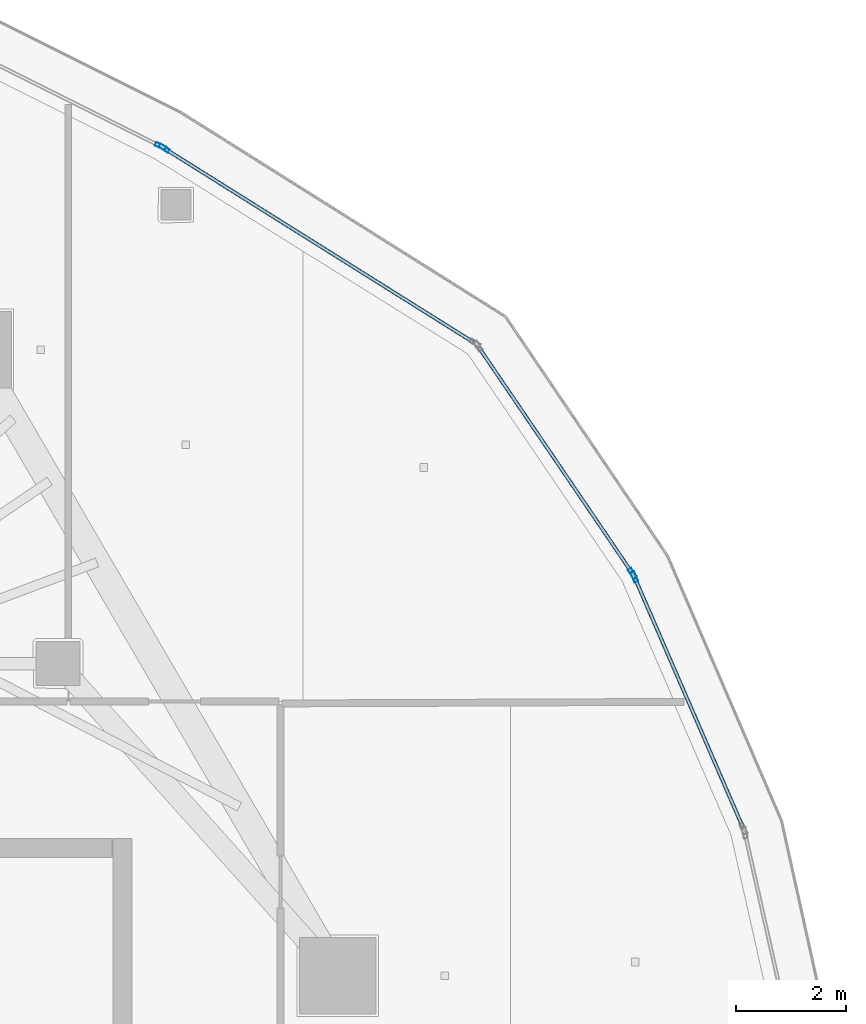
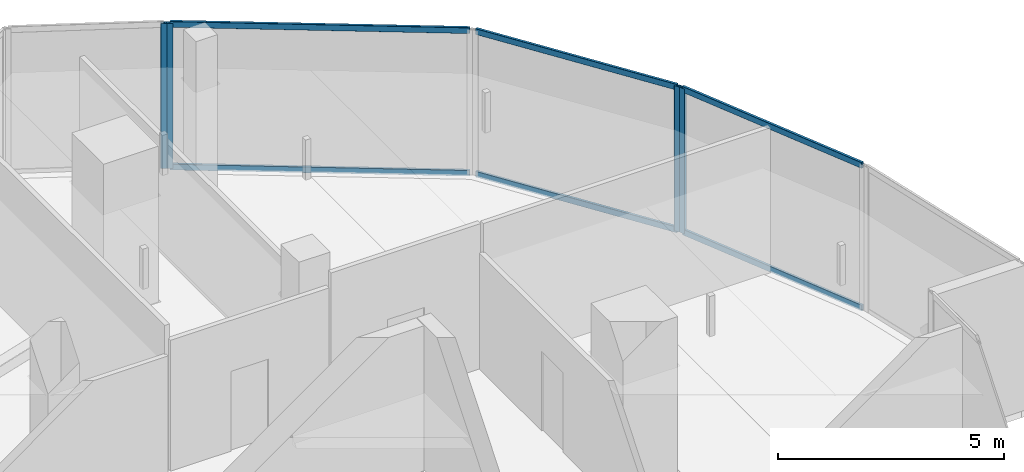
# One storey, part 19 of 30: 10 members, 4 elements without a shape of their own.
"""IFC4 building model written with IfcOpenShell, lengths in metres."""

from ifc_helpers import new_model, si_unit, direction, frame, origin, origin_2d, place, context, subcontext, project, spatial, hollow_rectangle, extrude, material, layer, layer_set, material_profile, profile_set, type_object, element, aggregate, save


model = new_model("IFC4")

# Units and contexts
model_context = context("Model", 3, precision=1e-05, world=origin(), true_north=direction((0.0, 1.0)))
body_context = subcontext(model_context, "Body", "Model", "MODEL_VIEW")
ifc_project = project(units=[si_unit("LENGTHUNIT", "METRE"), si_unit("AREAUNIT", "SQUARE_METRE"), si_unit("VOLUMEUNIT", "CUBIC_METRE"), si_unit("PLANEANGLEUNIT", "RADIAN"), si_unit("MASSUNIT", "GRAM", prefix="KILO")], contexts=[model_context])

# Site, building, storey
site_placement = place(None, origin())
site = spatial("IfcSite", under=ifc_project, at=site_placement, CompositionType="ELEMENT")
building_placement = place(site_placement, origin())
building = spatial("IfcBuilding", under=site, at=building_placement, Name="Qorvath Tower", CompositionType="ELEMENT")
storey_placement = place(building_placement, frame((0.0, 0.0, 301.800048828125)))
storey = spatial("IfcBuildingStorey", under=building, at=storey_placement, Name="L70", CompositionType="ELEMENT", Elevation=301.800048828125)

# Curtain wall, member
ifc_material_1 = material(Name="Anodised aluminium and triple low-E glass", Category="aluminium")
ifc_layer = layer(ifc_material_1, 0.179931640625)
ifc_layer_set = layer_set([ifc_layer], Name="CW-SYS-4")
curtain_wall_type = type_object("IfcCurtainWallType", Name="CW-SYS-4", PredefinedType="NOTDEFINED", material=ifc_layer_set)
curtain_wall_1_placement = place(storey_placement, origin())
curtain_wall_1 = element("IfcCurtainWall", 1, at=curtain_wall_1_placement, inside=storey, type_object=curtain_wall_type, Name="Curtain Wall CW-4 CW-T-L70-12.1", PredefinedType="NOTDEFINED")
ifc_material_2 = material(Name="Anodised aluminium 6063-T6", Category="aluminium")
ifc_material_profile_1 = material_profile(ifc_material_2, hollow_rectangle(XDim=0.074951171875, YDim=0.199951171875, WallThickness=0.00390625, InnerFilletRadius=0.00390625, OuterFilletRadius=0.008056640625, at=origin_2d()), Name="CWM 200x75")
ifc_profile_set_1 = profile_set([ifc_material_profile_1], Name="Anodised aluminium 6063-T6")
member_type_1 = type_object("IfcMemberType", Name="CWM-200", PredefinedType="MULLION", material=ifc_profile_set_1)
member_1_placement = place(storey_placement, frame((-6.689697265625, 13.031005859375, 0.0), z_axis=(0.0, 0.0, 1.0), x_axis=(-0.917541273425, -0.39764055573, 0.0)))
member_1 = element("IfcMember", 2, at=member_1_placement, type_object=member_type_1, Name="CW-4 mullion 2", PredefinedType="MULLION", context=body_context, shape_type="SweptSolid", body=[
    extrude(hollow_rectangle(XDim=0.074951171875, YDim=0.199951171875, WallThickness=0.00390625, InnerFilletRadius=0.00390625, OuterFilletRadius=0.008056640625, at=origin_2d()), origin(), (0.0, 0.0, 1.0), 3.909912109375),
])

curtain_wall_2_placement = place(storey_placement, origin())
curtain_wall_2 = element("IfcCurtainWall", 3, at=curtain_wall_2_placement, inside=storey, type_object=curtain_wall_type, Name="Curtain Wall CW-4 CW-T-L70-13.1", PredefinedType="NOTDEFINED")
member_2_placement = place(storey_placement, frame((-6.7255859375, 13.096435546875, 0.0), z_axis=(0.0, 0.0, 1.0), x_axis=(-0.827119229708, -0.562026493901, 0.0)))
member_2 = element("IfcMember", 4, at=member_2_placement, type_object=member_type_1, Name="CW-4 mullion 1", PredefinedType="MULLION", context=body_context, shape_type="SweptSolid", body=[
    extrude(hollow_rectangle(XDim=0.074951171875, YDim=0.199951171875, WallThickness=0.00390625, InnerFilletRadius=0.00390625, OuterFilletRadius=0.008056640625, at=origin_2d()), origin(), (0.0, 0.0, 1.0), 3.909912109375),
])

curtain_wall_3_placement = place(storey_placement, origin())
curtain_wall_3 = element("IfcCurtainWall", 5, at=curtain_wall_3_placement, inside=storey, type_object=curtain_wall_type, Name="Curtain Wall CW-4 CW-T-L70-14.1", PredefinedType="NOTDEFINED")
member_3_placement = place(storey_placement, frame((-15.266357421875, 20.848876953125, 0.0), z_axis=(0.0, 0.0, 1.0), x_axis=(-0.531381562568, -0.847132595857, 0.0)))
member_3 = element("IfcMember", 6, at=member_3_placement, type_object=member_type_1, Name="CW-4 mullion 2", PredefinedType="MULLION", context=body_context, shape_type="SweptSolid", body=[
    extrude(hollow_rectangle(XDim=0.074951171875, YDim=0.199951171875, WallThickness=0.00390625, InnerFilletRadius=0.00390625, OuterFilletRadius=0.008056640625, at=origin_2d()), origin(), (0.0, 0.0, 1.0), 3.909912109375),
])

curtain_wall_4_placement = place(storey_placement, origin())
curtain_wall_4 = element("IfcCurtainWall", 7, at=curtain_wall_4_placement, inside=storey, type_object=curtain_wall_type, Name="Curtain Wall CW-4 CW-T-L70-15.1", PredefinedType="NOTDEFINED")
member_4_placement = place(storey_placement, frame((-15.33154296875, 20.8857421875, 0.0), z_axis=(0.0, 0.0, 1.0), x_axis=(-0.447213595499, -0.894427191001, 0.0)))
member_4 = element("IfcMember", 8, at=member_4_placement, type_object=member_type_1, Name="CW-4 mullion 1", PredefinedType="MULLION", context=body_context, shape_type="SweptSolid", body=[
    extrude(hollow_rectangle(XDim=0.074951171875, YDim=0.199951171875, WallThickness=0.00390625, InnerFilletRadius=0.00390625, OuterFilletRadius=0.008056640625, at=origin_2d()), origin(), (0.0, 0.0, 1.0), 3.909912109375),
])
aggregate(curtain_wall_4, [member_4])

# Member
ifc_material_3 = material(Name="Anodised aluminium 6063-T6", Category="aluminium")
ifc_material_profile_2 = material_profile(ifc_material_3, hollow_rectangle(XDim=0.06494140625, YDim=0.159912109375, WallThickness=0.00341796875, InnerFilletRadius=0.00341796875, OuterFilletRadius=0.007080078125, at=origin_2d()), Name="CWT 160x65")
ifc_profile_set_2 = profile_set([ifc_material_profile_2], Name="Anodised aluminium 6063-T6")
member_type_2 = type_object("IfcMemberType", Name="CWT-160", PredefinedType="USERDEFINED", material=ifc_profile_set_2)
member_5_placement = place(storey_placement, frame((-4.712646484375, 8.46923828125, 0.032470703125), z_axis=(-0.3976602019, 0.917532758993, 0.0), x_axis=(-0.917532758993, -0.3976602019, 0.0)))
member_5 = element("IfcMember", 9, at=member_5_placement, type_object=member_type_2, Name="CW-4 transom 1.1", ObjectType="TRANSOM", PredefinedType="USERDEFINED", context=body_context, shape_type="SweptSolid", body=[
    extrude(hollow_rectangle(XDim=0.06494140625, YDim=0.159912109375, WallThickness=0.00341796875, InnerFilletRadius=0.00341796875, OuterFilletRadius=0.007080078125, at=origin_2d()), origin(), (0.0, 0.0, 1.0), 4.934326171875),
])

member_6_placement = place(storey_placement, frame((-4.712646484375, 8.46923828125, 3.87744140625), z_axis=(-0.3976602019, 0.917532758993, 0.0), x_axis=(-0.917532758993, -0.3976602019, 0.0)))
member_6 = element("IfcMember", 10, at=member_6_placement, type_object=member_type_2, Name="CW-4 transom 1.2", ObjectType="TRANSOM", PredefinedType="USERDEFINED", context=body_context, shape_type="SweptSolid", body=[
    extrude(hollow_rectangle(XDim=0.06494140625, YDim=0.159912109375, WallThickness=0.00341796875, InnerFilletRadius=0.00341796875, OuterFilletRadius=0.007080078125, at=origin_2d()), origin(), (0.0, 0.0, 1.0), 4.934326171875),
])

aggregate(curtain_wall_1, [member_1, member_5, member_6])

member_7_placement = place(storey_placement, frame((-6.746826171875, 13.12744140625, 0.032470703125), z_axis=(-0.562031221311, 0.827116017419, 0.0), x_axis=(-0.827116017419, -0.562031221311, 0.0)))
member_7 = element("IfcMember", 11, at=member_7_placement, type_object=member_type_2, Name="CW-4 transom 1.1", ObjectType="TRANSOM", PredefinedType="USERDEFINED", context=body_context, shape_type="SweptSolid", body=[
    extrude(hollow_rectangle(XDim=0.06494140625, YDim=0.159912109375, WallThickness=0.00341796875, InnerFilletRadius=0.00341796875, OuterFilletRadius=0.007080078125, at=origin_2d()), origin(), (0.0, 0.0, 1.0), 4.9345703125),
])

member_8_placement = place(storey_placement, frame((-6.746826171875, 13.12744140625, 3.87744140625), z_axis=(-0.562031221311, 0.827116017419, 0.0), x_axis=(-0.827116017419, -0.562031221311, 0.0)))
member_8 = element("IfcMember", 12, at=member_8_placement, type_object=member_type_2, Name="CW-4 transom 1.2", ObjectType="TRANSOM", PredefinedType="USERDEFINED", context=body_context, shape_type="SweptSolid", body=[
    extrude(hollow_rectangle(XDim=0.06494140625, YDim=0.159912109375, WallThickness=0.00341796875, InnerFilletRadius=0.00341796875, OuterFilletRadius=0.007080078125, at=origin_2d()), origin(), (0.0, 0.0, 1.0), 4.9345703125),
])

aggregate(curtain_wall_2, [member_2, member_7, member_8])

member_9_placement = place(storey_placement, frame((-9.625732421875, 17.310791015625, 0.032470703125), z_axis=(-0.847131266988, 0.531383681055, 0.0), x_axis=(-0.531383681055, -0.847131266988, 0.0)))
member_9 = element("IfcMember", 13, at=member_9_placement, type_object=member_type_2, Name="CW-4 transom 1.1", ObjectType="TRANSOM", PredefinedType="USERDEFINED", context=body_context, shape_type="SweptSolid", body=[
    extrude(hollow_rectangle(XDim=0.06494140625, YDim=0.159912109375, WallThickness=0.00341796875, InnerFilletRadius=0.00341796875, OuterFilletRadius=0.007080078125, at=origin_2d()), origin(), (0.0, 0.0, 1.0), 6.62109375),
])

member_10_placement = place(storey_placement, frame((-9.625732421875, 17.310791015625, 3.87744140625), z_axis=(-0.847131266988, 0.531383681055, 0.0), x_axis=(-0.531383681055, -0.847131266988, 0.0)))
member_10 = element("IfcMember", 14, at=member_10_placement, type_object=member_type_2, Name="CW-4 transom 1.2", ObjectType="TRANSOM", PredefinedType="USERDEFINED", context=body_context, shape_type="SweptSolid", body=[
    extrude(hollow_rectangle(XDim=0.06494140625, YDim=0.159912109375, WallThickness=0.00341796875, InnerFilletRadius=0.00341796875, OuterFilletRadius=0.007080078125, at=origin_2d()), origin(), (0.0, 0.0, 1.0), 6.62109375),
])

aggregate(curtain_wall_3, [member_3, member_9, member_10])

save(model, "model.ifc")
